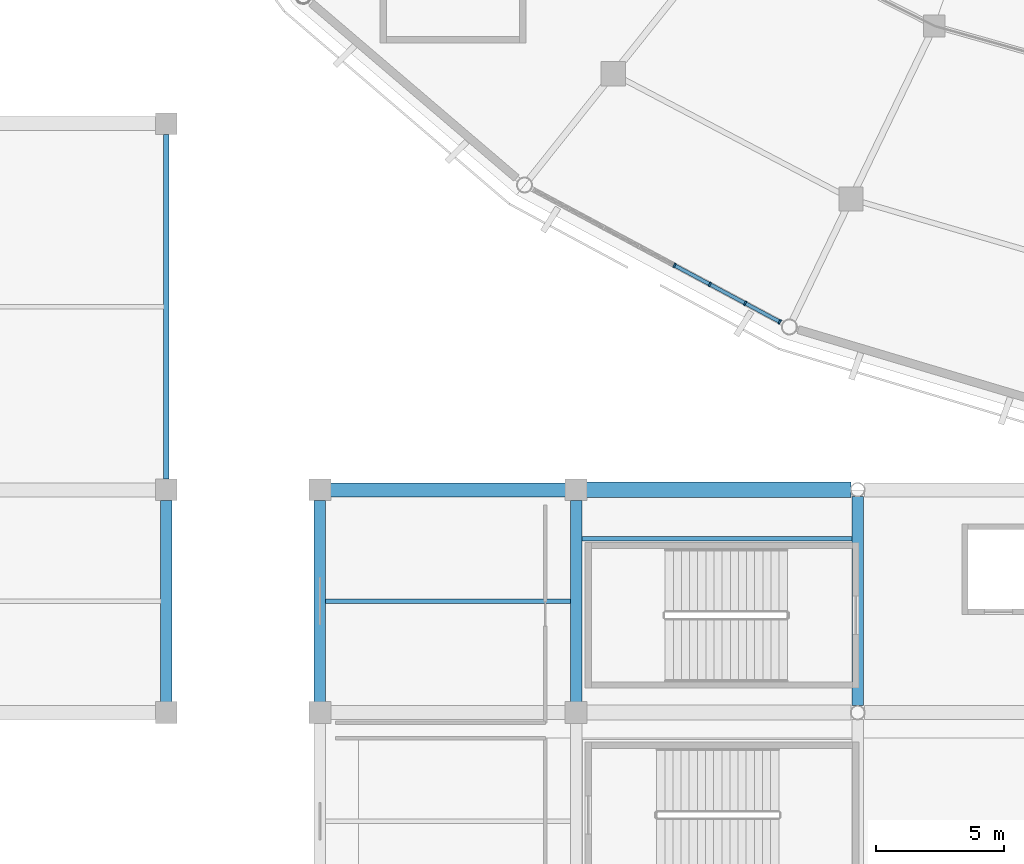
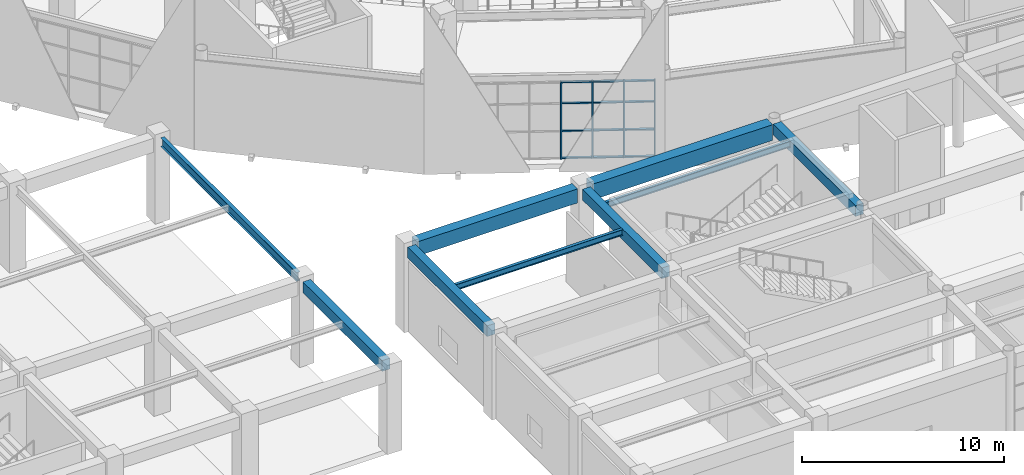
# One storey, part 16 of 120: 16 members, 9 beams, 1 element without a shape of its own.
"""IFC4 building model written with IfcOpenShell, lengths in metres."""

import ifcopenshell
import ifcopenshell.guid

model = None  # the IFC model being written
_history = None  # IfcOwnerHistory: only IFC2X3 demands one
_inside = {}  # id of a spatial element -> (the spatial element, [elements in it])
_under = {}  # id of a project, library or spatial element -> (it, [spatial elements below it])
_declared = {}  # id of a project -> (the project, [libraries it declares])
_typed = {}  # id of a type object -> (the type object, [elements of that type])
_made_of = {}  # id of a material, layer set ... -> (it, [elements and type objects made of it])


def new_model(schema):
    """Start an empty IFC model of exactly this schema.

    Asked for "IFC4X3", IfcOpenShell would pick the latest addendum, in which some entities
    have other attributes; the version numbers below select the first issue.
    IFC2X3 requires an IfcOwnerHistory on every rooted entity: one is made here for all.
    """
    global model, _history
    if schema == "IFC4X3":
        model = ifcopenshell.file(schema_version=(4, 3, 0, 0))
    else:
        model = ifcopenshell.file(schema=schema)
    _inside.clear()
    _under.clear()
    _declared.clear()
    _typed.clear()
    _made_of.clear()
    _history = None
    if model.schema == "IFC2X3":
        org = make("IfcOrganization", Name="unknown")
        user = make(
            "IfcPersonAndOrganization",
            ThePerson=make("IfcPerson", FamilyName="unknown"),
            TheOrganization=org,
        )
        app = make(
            "IfcApplication",
            ApplicationDeveloper=org,
            Version="unknown",
            ApplicationFullName="unknown",
            ApplicationIdentifier="unknown",
        )
        _history = make(
            "IfcOwnerHistory",
            OwningUser=user,
            OwningApplication=app,
            ChangeAction="ADDED",
            CreationDate=0,
        )
    return model


def make(cls, **values):
    """One entity of the class cls with the attributes given. An attribute that is None is left unset."""
    return model.create_entity(
        cls, **{name: value for name, value in values.items() if value is not None}
    )


def rooted(cls, **values):
    """An entity with a GlobalId (a new one), such as an element, a storey or a relation."""
    return make(cls, GlobalId=ifcopenshell.guid.new(), OwnerHistory=_history, **values)


def si_unit(unit_type, name, prefix=None):
    """IfcSIUnit, for example si_unit("LENGTHUNIT", "METRE", prefix="MILLI")."""
    return make("IfcSIUnit", UnitType=unit_type, Prefix=prefix, Name=name)


def assignment(units):
    """IfcUnitAssignment: the units of a project."""
    return None if units is None else make("IfcUnitAssignment", Units=units)


def point(xyz):
    """IfcCartesianPoint."""
    return None if xyz is None else make("IfcCartesianPoint", Coordinates=xyz)


def direction(xyz):
    """IfcDirection."""
    return None if xyz is None else make("IfcDirection", DirectionRatios=xyz)


def frame(location, z_axis=None, x_axis=None):
    """IfcAxis2Placement3D, a coordinate frame: its origin and axes. An axis left out is left unset."""
    return make(
        "IfcAxis2Placement3D",
        Location=point(location),
        Axis=direction(z_axis),
        RefDirection=direction(x_axis),
    )


def frame_2d(location, x_axis=None):
    """IfcAxis2Placement2D, a coordinate frame in the plane: its origin and x axis."""
    return make(
        "IfcAxis2Placement2D", Location=point(location), RefDirection=direction(x_axis)
    )


def origin():
    """The frame at (0, 0, 0) with its axes left unset."""
    return frame((0.0, 0.0, 0.0))


def origin_2d():
    """The frame at (0, 0) in the plane with its x axis left unset."""
    return frame_2d((0.0, 0.0))


def place(relative_to, where):
    """IfcLocalPlacement: puts the frame where relative to a parent placement (None: the world)."""
    return make(
        "IfcLocalPlacement", PlacementRelTo=relative_to, RelativePlacement=where
    )


def context(
    kind, dimensions, precision=None, world=None, true_north=None, identifier=None
):
    """IfcGeometricRepresentationContext, for example the 3D "Model" context."""
    return make(
        "IfcGeometricRepresentationContext",
        ContextIdentifier=identifier,
        ContextType=kind,
        CoordinateSpaceDimension=dimensions,
        Precision=precision,
        WorldCoordinateSystem=world,
        TrueNorth=true_north,
    )


def subcontext(parent, identifier, kind, view, scale=None):
    """IfcGeometricRepresentationSubContext, for example "Body" below "Model"."""
    return make(
        "IfcGeometricRepresentationSubContext",
        ContextIdentifier=identifier,
        ContextType=kind,
        ParentContext=parent,
        TargetScale=scale,
        TargetView=view,
    )


def project(units=None, contexts=None):
    """IfcProject with its units and contexts."""
    return rooted(
        "IfcProject",
        Name="project",
        RepresentationContexts=contexts,
        UnitsInContext=assignment(units),
    )


def spatial(cls, under=None, at=None, **own):
    """A site, building, storey or space (cls), placed at a placement, below another one or the project."""
    s = rooted(cls, ObjectPlacement=at, **own)
    if under is not None:
        _under.setdefault(under.id(), (under, []))[1].append(s)
    return s


def profile(cls, at=None, kind="AREA", **sizes):
    """A parametric profile (cls). Its sizes go by their IFC names, for example OverallWidth=200.0."""
    return make(cls, ProfileType=kind, Position=at, **sizes)


def rectangle(**sizes):
    """IfcRectangleProfileDef."""
    return profile("IfcRectangleProfileDef", **sizes)


def i_section(**sizes):
    """IfcIShapeProfileDef."""
    return profile("IfcIShapeProfileDef", **sizes)


def extrude(swept, where, along, depth):
    """IfcExtrudedAreaSolid: the profile swept, set in the frame where, extruded along a direction by depth."""
    return make(
        "IfcExtrudedAreaSolid",
        SweptArea=swept,
        Position=where,
        ExtrudedDirection=direction(along),
        Depth=depth,
    )


def shape(context_of_items, identifier, shape_type, items):
    """IfcShapeRepresentation: the items that make up one representation, for example the "Body"."""
    return make(
        "IfcShapeRepresentation",
        ContextOfItems=context_of_items,
        RepresentationIdentifier=identifier,
        RepresentationType=shape_type,
        Items=items,
    )


def material(Name=None, Category=None):
    """IfcMaterial."""
    return make("IfcMaterial", Name=Name, Category=Category)


def material_profile(
    of_material, cross_section, Name=None, Category=None, Priority=None
):
    """IfcMaterialProfile: a cross section and its material."""
    return make(
        "IfcMaterialProfile",
        Name=Name,
        Material=of_material,
        Profile=cross_section,
        Priority=Priority,
        Category=Category,
    )


def profile_set(profiles, Name=None, composite=None):
    """IfcMaterialProfileSet."""
    return make(
        "IfcMaterialProfileSet",
        Name=Name,
        MaterialProfiles=profiles,
        CompositeProfile=composite,
    )


def made_of(thing, what):
    """Note that an element or type object is made of a material, layer set ...; save() writes the relation."""
    if what is not None:
        _made_of.setdefault(what.id(), (what, []))[1].append(thing)
    return thing


def type_object(cls, material=None, **own):
    """A type object (cls), such as IfcWallType, which elements share."""
    return made_of(rooted(cls, **own), material)


def element(
    cls,
    number,
    at=None,
    inside=None,
    cuts=None,
    type_object=None,
    material=None,
    context=None,
    identifier="Body",
    shape_type=None,
    held_by="IfcProductDefinitionShape",
    body=None,
    shapes=None,
    **own,
):
    """One element of the class cls, such as IfcWall. Its Tag is "e" and its number.

    at: its placement. inside: the storey or other place that contains it. cuts: it is an
    opening in that element (IfcRelVoidsElement). A single representation is given by context,
    identifier, shape_type and body (its items); several are given by shapes. held_by: the class
    of the entity that holds the representations. save() writes the other relations.
    """
    e = rooted(cls, Tag="e%d" % number, ObjectPlacement=at, **own)
    if body is not None:
        shapes = [shape(context, identifier, shape_type, body)]
    if shapes is not None:
        e.Representation = make(held_by, Representations=shapes)
    if inside is not None:
        _inside.setdefault(inside.id(), (inside, []))[1].append(e)
    if cuts is not None:
        rooted(
            "IfcRelVoidsElement", RelatingBuildingElement=cuts, RelatedOpeningElement=e
        )
    if type_object is not None:
        _typed.setdefault(type_object.id(), (type_object, []))[1].append(e)
    return made_of(e, material)


def aggregate(whole, parts):
    """IfcRelAggregates: a whole, such as a stair, and the parts it consists of."""
    return rooted("IfcRelAggregates", RelatingObject=whole, RelatedObjects=parts)


def save(model, path):
    """Write the relations noted so far, then the file.

    IfcRelAggregates (storeys below a building ...), IfcRelContainedInSpatialStructure (elements
    in a storey), IfcRelDefinesByType, IfcRelAssociatesMaterial and IfcRelDeclares: one each for
    every whole, place, type object, material and project.
    """
    for whole, parts in _under.values():
        aggregate(whole, parts)
    for where, things in _inside.values():
        rooted(
            "IfcRelContainedInSpatialStructure",
            RelatedElements=things,
            RelatingStructure=where,
        )
    for kind, things in _typed.values():
        rooted("IfcRelDefinesByType", RelatedObjects=things, RelatingType=kind)
    for what, things in _made_of.values():
        rooted("IfcRelAssociatesMaterial", RelatedObjects=things, RelatingMaterial=what)
    for by, libraries in _declared.values():
        rooted("IfcRelDeclares", RelatingContext=by, RelatedDefinitions=libraries)
    model.write(path)


model = new_model("IFC4")

# Units and contexts
model_context = context("Model", 3, precision=1e-05, world=origin(), true_north=direction((0.0, 1.0)))
body_context = subcontext(model_context, "Body", "Model", "MODEL_VIEW")
ifc_project = project(units=[si_unit("LENGTHUNIT", "METRE"), si_unit("AREAUNIT", "SQUARE_METRE"), si_unit("VOLUMEUNIT", "CUBIC_METRE"), si_unit("PLANEANGLEUNIT", "RADIAN"), si_unit("MASSUNIT", "GRAM", prefix="KILO")], contexts=[model_context])

# Site, building, storey
site_placement = place(None, origin())
site = spatial("IfcSite", under=ifc_project, at=site_placement, CompositionType="ELEMENT")
building_placement = place(site_placement, origin())
building = spatial("IfcBuilding", under=site, at=building_placement, Name="Cuetzalor Civic Arena", CompositionType="ELEMENT")
storey_placement = place(building_placement, frame((0.0, 0.0, 6.0)))
storey = spatial("IfcBuildingStorey", under=building, at=storey_placement, Name="L01", CompositionType="ELEMENT", Elevation=6.0)

# Beams
ifc_material_1 = material(Name="Concrete C40/50", Category="concrete")
ifc_material_profile_1 = material_profile(ifc_material_1, rectangle(XDim=0.550048828125, YDim=0.85009765625, at=origin_2d()), Name="RC 550x850")
ifc_profile_set_1 = profile_set([ifc_material_profile_1], Name="Concrete C40/50")
beam_type_1 = type_object("IfcBeamType", Name="ConcreteFrameBeam_550x850", PredefinedType="BEAM", material=ifc_profile_set_1)
beam_1_placement = place(storey_placement, frame((-41.5849609375, -48.300048828125, 4.695068359375), z_axis=(1.0, 0.0, 0.0), x_axis=(0.0, 1.0, 0.0)))
element("IfcBeam", 1, at=beam_1_placement, inside=storey, type_object=beam_type_1, Name="Frame Girder V3-L01-X0311", PredefinedType="BEAM", context=body_context, shape_type="SweptSolid", body=[
    extrude(rectangle(XDim=0.550048828125, YDim=0.85009765625, at=origin_2d()), origin(), (0.0, 0.0, 1.0), 9.169921875),
])
ifc_material_2 = material(Name="Concrete C40/50", Category="concrete")
ifc_material_profile_2 = material_profile(ifc_material_2, rectangle(XDim=0.60009765625, YDim=0.949951171875, at=origin_2d()), Name="RC 600x950")
ifc_profile_set_2 = profile_set([ifc_material_profile_2], Name="Concrete C40/50")
beam_type_2 = type_object("IfcBeamType", Name="ConcreteFrameBeam_600x950", PredefinedType="BEAM", material=ifc_profile_set_2)
beam_2_placement = place(storey_placement, frame((-31.5849609375, -48.300048828125, 4.64501953125), z_axis=(1.0, 0.0, 0.0), x_axis=(0.0, 1.0, 0.0)))
element("IfcBeam", 2, at=beam_2_placement, inside=storey, type_object=beam_type_2, Name="Frame Girder V3-L01-X0312", PredefinedType="BEAM", context=body_context, shape_type="SweptSolid", body=[
    extrude(rectangle(XDim=0.60009765625, YDim=0.949951171875, at=origin_2d()), origin(), (0.0, 0.0, 1.0), 10.3154296875),
])
ifc_material_3 = material(Name="Concrete C40/50", Category="concrete")
ifc_material_profile_3 = material_profile(ifc_material_3, rectangle(XDim=0.449951171875, YDim=0.64990234375, at=origin_2d()), Name="RC 450x650")
ifc_profile_set_3 = profile_set([ifc_material_profile_3], Name="Concrete C40/50")
beam_type_3 = type_object("IfcBeamType", Name="ConcreteTieBeam_450x650", PredefinedType="BEAM", material=ifc_profile_set_3)
for number, where, z_axis, x_axis, name in (
    (3, (-42.0, -56.5849609375, 4.794921875), (0.0, 1.0, 0.0), (-1.0, 0.0, 0.0), "Frame Girder V3-L01-Y0321"),
    (4, (-32.0, -56.5849609375, 4.794921875), (0.0, 1.0, 0.0), (-1.0, 0.0, 0.0), "Frame Girder V3-L01-Y0324"),
):
    element("IfcBeam", number, at=place(storey_placement, frame(where, z_axis=z_axis, x_axis=x_axis)), inside=storey, type_object=beam_type_3, Name=name, PredefinedType="BEAM", context=body_context, shape_type="SweptSolid", body=[
        extrude(rectangle(XDim=0.449951171875, YDim=0.64990234375, at=origin_2d()), origin(), (0.0, 0.0, 1.0), 7.869873046875),
    ])
beam_3_placement = place(storey_placement, frame((-21.0, -56.73046875, 4.794921875), z_axis=(0.0, 1.0, 0.0), x_axis=(-1.0, 0.0, 0.0)))
element("IfcBeam", 5, at=beam_3_placement, inside=storey, type_object=beam_type_3, Name="Frame Girder V3-L01-Y0327", PredefinedType="BEAM", context=body_context, shape_type="SweptSolid", body=[
    extrude(rectangle(XDim=0.449951171875, YDim=0.64990234375, at=origin_2d()), origin(), (0.0, 0.0, 1.0), 8.160888671875),
])
beam_4_placement = place(storey_placement, frame((-48.0, -56.5849609375, 4.794921875), z_axis=(0.0, 1.0, 0.0), x_axis=(-1.0, 0.0, 0.0)))
element("IfcBeam", 6, at=beam_4_placement, inside=storey, type_object=beam_type_3, Name="Frame Girder V4W-L01-Y0421", PredefinedType="BEAM", context=body_context, shape_type="SweptSolid", body=[
    extrude(rectangle(XDim=0.449951171875, YDim=0.64990234375, at=origin_2d()), origin(), (0.0, 0.0, 1.0), 7.869873046875),
])

# Curtain wall, members
ifc_material_4 = material(Name="Anodised dark bronze aluminium and low-E solar glass", Category="aluminium")
curtain_wall_type = type_object("IfcCurtainWallType", Name="UnitisedCW_10950x4650", PredefinedType="USERDEFINED", material=ifc_material_4)
curtain_wall_placement = place(storey_placement, origin())
curtain_wall = element("IfcCurtainWall", 7, at=curtain_wall_placement, inside=storey, type_object=curtain_wall_type, Name="Drum Triangle Foyer Curtain Wall L01-028", ObjectType="UNITISED CURTAIN WALL", PredefinedType="USERDEFINED")
ifc_material_5 = material(Name="Anodised dark bronze aluminium", Category="aluminium")
ifc_material_profile_4 = material_profile(ifc_material_5, rectangle(XDim=0.070068359375, YDim=0.179931640625, at=origin_2d()), Name="ALU MULLION 70x180")
ifc_profile_set_4 = profile_set([ifc_material_profile_4], Name="Anodised dark bronze aluminium")
member_type_1 = type_object("IfcMemberType", Name="CurtainWallMullion_65x180", PredefinedType="MULLION", material=ifc_profile_set_4)
member_1_placement = place(storey_placement, frame((-24.04736328125, -41.737060546875, 0.0), z_axis=(0.0, 0.0, 1.0), x_axis=(-0.881306344124, 0.472545371163, 0.0)))
member_1 = element("IfcMember", 8, at=member_1_placement, type_object=member_type_1, Name="CW-07 mullion 1", PredefinedType="MULLION", context=body_context, shape_type="SweptSolid", body=[
    extrude(rectangle(XDim=0.070068359375, YDim=0.179931640625, at=origin_2d()), origin(), (0.0, 0.0, 1.0), 4.653076171875),
])
member_2_placement = place(storey_placement, frame((-25.39453125, -41.0146484375, 0.0), z_axis=(0.0, 0.0, 1.0), x_axis=(-0.881306344124, 0.472545371163, 0.0)))
member_2 = element("IfcMember", 9, at=member_2_placement, type_object=member_type_1, Name="CW-07 mullion 2", PredefinedType="MULLION", context=body_context, shape_type="SweptSolid", body=[
    extrude(rectangle(XDim=0.070068359375, YDim=0.179931640625, at=origin_2d()), origin(), (0.0, 0.0, 1.0), 4.653076171875),
])
member_3_placement = place(storey_placement, frame((-26.772705078125, -40.275634765625, 0.0), z_axis=(0.0, 0.0, 1.0), x_axis=(-0.881306344124, 0.472545371163, 0.0)))
member_3 = element("IfcMember", 10, at=member_3_placement, type_object=member_type_1, Name="CW-07 mullion 3", PredefinedType="MULLION", context=body_context, shape_type="SweptSolid", body=[
    extrude(rectangle(XDim=0.070068359375, YDim=0.179931640625, at=origin_2d()), origin(), (0.0, 0.0, 1.0), 4.653076171875),
])
member_4_placement = place(storey_placement, frame((-28.15087890625, -39.53662109375, 0.0), z_axis=(0.0, 0.0, 1.0), x_axis=(-0.881306344124, 0.472545371163, 0.0)))
member_4 = element("IfcMember", 11, at=member_4_placement, type_object=member_type_1, Name="CW-07 mullion 4", PredefinedType="MULLION", context=body_context, shape_type="SweptSolid", body=[
    extrude(rectangle(XDim=0.070068359375, YDim=0.179931640625, at=origin_2d()), origin(), (0.0, 0.0, 1.0), 4.653076171875),
])
ifc_material_6 = material(Name="Anodised dark bronze aluminium", Category="aluminium")
ifc_material_profile_5 = material_profile(ifc_material_6, rectangle(XDim=0.139892578125, YDim=0.070068359375, at=origin_2d()), Name="ALU TRANSOM 70x140")
ifc_profile_set_5 = profile_set([ifc_material_profile_5], Name="Anodised dark bronze aluminium")
member_type_2 = type_object("IfcMemberType", Name="CurtainWallTransom_65x140", PredefinedType="USERDEFINED", material=ifc_profile_set_5)
member_5_placement = place(storey_placement, frame((-24.078125, -41.720458984375, 0.034912109375), z_axis=(-0.881275880815, 0.472602181432, 0.0), x_axis=(-0.472602181432, -0.881275880815, 0.0)))
member_5 = element("IfcMember", 12, at=member_5_placement, type_object=member_type_2, Name="CW-07 transom 1.1", ObjectType="TRANSOM", PredefinedType="USERDEFINED", context=body_context, shape_type="SweptSolid", body=[
    extrude(rectangle(XDim=0.139892578125, YDim=0.070068359375, at=origin_2d()), origin(), (0.0, 0.0, 1.0), 1.458740234375),
])
member_6_placement = place(storey_placement, frame((-24.078125, -41.720458984375, 1.675048828125), z_axis=(-0.881275880815, 0.472602181432, 0.0), x_axis=(-0.472602181432, -0.881275880815, 0.0)))
member_6 = element("IfcMember", 13, at=member_6_placement, type_object=member_type_2, Name="CW-07 transom 1.2", ObjectType="TRANSOM", PredefinedType="USERDEFINED", context=body_context, shape_type="SweptSolid", body=[
    extrude(rectangle(XDim=0.139892578125, YDim=0.070068359375, at=origin_2d()), origin(), (0.0, 0.0, 1.0), 1.458740234375),
])
member_7_placement = place(storey_placement, frame((-24.078125, -41.720458984375, 3.35009765625), z_axis=(-0.881275880815, 0.472602181432, 0.0), x_axis=(-0.472602181432, -0.881275880815, 0.0)))
member_7 = element("IfcMember", 14, at=member_7_placement, type_object=member_type_2, Name="CW-07 transom 1.3", ObjectType="TRANSOM", PredefinedType="USERDEFINED", context=body_context, shape_type="SweptSolid", body=[
    extrude(rectangle(XDim=0.139892578125, YDim=0.070068359375, at=origin_2d()), origin(), (0.0, 0.0, 1.0), 1.458740234375),
])
member_8_placement = place(storey_placement, frame((-24.078125, -41.720458984375, 4.617919921875), z_axis=(-0.881275880815, 0.472602181432, 0.0), x_axis=(-0.472602181432, -0.881275880815, 0.0)))
member_8 = element("IfcMember", 15, at=member_8_placement, type_object=member_type_2, Name="CW-07 transom 1.4", ObjectType="TRANSOM", PredefinedType="USERDEFINED", context=body_context, shape_type="SweptSolid", body=[
    extrude(rectangle(XDim=0.139892578125, YDim=0.070068359375, at=origin_2d()), origin(), (0.0, 0.0, 1.0), 1.458740234375),
])
member_9_placement = place(storey_placement, frame((-25.42529296875, -40.998046875, 0.034912109375), z_axis=(-0.881351173238, 0.472461754465, 0.0), x_axis=(-0.472461754465, -0.881351173238, 0.0)))
member_9 = element("IfcMember", 16, at=member_9_placement, type_object=member_type_2, Name="CW-07 transom 2.1", ObjectType="TRANSOM", PredefinedType="USERDEFINED", context=body_context, shape_type="SweptSolid", body=[
    extrude(rectangle(XDim=0.139892578125, YDim=0.070068359375, at=origin_2d()), origin(), (0.0, 0.0, 1.0), 1.493896484375),
])
member_10_placement = place(storey_placement, frame((-25.42529296875, -40.998046875, 1.675048828125), z_axis=(-0.881351173238, 0.472461754465, 0.0), x_axis=(-0.472461754465, -0.881351173238, 0.0)))
member_10 = element("IfcMember", 17, at=member_10_placement, type_object=member_type_2, Name="CW-07 transom 2.2", ObjectType="TRANSOM", PredefinedType="USERDEFINED", context=body_context, shape_type="SweptSolid", body=[
    extrude(rectangle(XDim=0.139892578125, YDim=0.070068359375, at=origin_2d()), origin(), (0.0, 0.0, 1.0), 1.493896484375),
])
member_11_placement = place(storey_placement, frame((-25.42529296875, -40.998046875, 3.35009765625), z_axis=(-0.881351173238, 0.472461754465, 0.0), x_axis=(-0.472461754465, -0.881351173238, 0.0)))
member_11 = element("IfcMember", 18, at=member_11_placement, type_object=member_type_2, Name="CW-07 transom 2.3", ObjectType="TRANSOM", PredefinedType="USERDEFINED", context=body_context, shape_type="SweptSolid", body=[
    extrude(rectangle(XDim=0.139892578125, YDim=0.070068359375, at=origin_2d()), origin(), (0.0, 0.0, 1.0), 1.493896484375),
])
member_12_placement = place(storey_placement, frame((-25.42529296875, -40.998046875, 4.617919921875), z_axis=(-0.881351173238, 0.472461754465, 0.0), x_axis=(-0.472461754465, -0.881351173238, 0.0)))
member_12 = element("IfcMember", 19, at=member_12_placement, type_object=member_type_2, Name="CW-07 transom 2.4", ObjectType="TRANSOM", PredefinedType="USERDEFINED", context=body_context, shape_type="SweptSolid", body=[
    extrude(rectangle(XDim=0.139892578125, YDim=0.070068359375, at=origin_2d()), origin(), (0.0, 0.0, 1.0), 1.493896484375),
])
member_13_placement = place(storey_placement, frame((-26.803466796875, -40.259033203125, 0.034912109375), z_axis=(-0.881314685602, 0.472529813812, 0.0), x_axis=(-0.472529813812, -0.881314685602, 0.0)))
member_13 = element("IfcMember", 20, at=member_13_placement, type_object=member_type_2, Name="CW-07 transom 3.1", ObjectType="TRANSOM", PredefinedType="USERDEFINED", context=body_context, shape_type="SweptSolid", body=[
    extrude(rectangle(XDim=0.139892578125, YDim=0.070068359375, at=origin_2d()), origin(), (0.0, 0.0, 1.0), 1.49365234375),
])
member_14_placement = place(storey_placement, frame((-26.803466796875, -40.259033203125, 1.675048828125), z_axis=(-0.881314685602, 0.472529813812, 0.0), x_axis=(-0.472529813812, -0.881314685602, 0.0)))
member_14 = element("IfcMember", 21, at=member_14_placement, type_object=member_type_2, Name="CW-07 transom 3.2", ObjectType="TRANSOM", PredefinedType="USERDEFINED", context=body_context, shape_type="SweptSolid", body=[
    extrude(rectangle(XDim=0.139892578125, YDim=0.070068359375, at=origin_2d()), origin(), (0.0, 0.0, 1.0), 1.49365234375),
])
member_15_placement = place(storey_placement, frame((-26.803466796875, -40.259033203125, 3.35009765625), z_axis=(-0.881314685602, 0.472529813812, 0.0), x_axis=(-0.472529813812, -0.881314685602, 0.0)))
member_15 = element("IfcMember", 22, at=member_15_placement, type_object=member_type_2, Name="CW-07 transom 3.3", ObjectType="TRANSOM", PredefinedType="USERDEFINED", context=body_context, shape_type="SweptSolid", body=[
    extrude(rectangle(XDim=0.139892578125, YDim=0.070068359375, at=origin_2d()), origin(), (0.0, 0.0, 1.0), 1.49365234375),
])
member_16_placement = place(storey_placement, frame((-26.803466796875, -40.259033203125, 4.617919921875), z_axis=(-0.881314685602, 0.472529813812, 0.0), x_axis=(-0.472529813812, -0.881314685602, 0.0)))
member_16 = element("IfcMember", 23, at=member_16_placement, type_object=member_type_2, Name="CW-07 transom 3.4", ObjectType="TRANSOM", PredefinedType="USERDEFINED", context=body_context, shape_type="SweptSolid", body=[
    extrude(rectangle(XDim=0.139892578125, YDim=0.070068359375, at=origin_2d()), origin(), (0.0, 0.0, 1.0), 1.49365234375),
])
aggregate(curtain_wall, [member_1, member_2, member_3, member_4, member_5, member_6, member_7, member_8, member_9, member_10, member_11, member_12, member_13, member_14, member_15, member_16])

# Beams
ifc_material_7 = material(Name="Steel S355", Category="steel")
ifc_material_profile_6 = material_profile(ifc_material_7, i_section(OverallWidth=0.1708984375, OverallDepth=0.35498046875, WebThickness=0.007080078125, FlangeThickness=0.01171875, at=origin_2d()), Name="W360x51")
ifc_profile_set_6 = profile_set([ifc_material_profile_6], Name="Steel S355")
beam_type_4 = type_object("IfcBeamType", Name="SecondaryFloorJoist_W360", PredefinedType="JOIST", material=ifc_profile_set_6)
beam_5_placement = place(storey_placement, frame((-41.782958984375, -52.64990234375, 4.9423828125), z_axis=(1.0, 0.0, 0.0), x_axis=(0.0, 1.0, 0.0)))
element("IfcBeam", 24, at=beam_5_placement, inside=storey, type_object=beam_type_4, Name="Secondary Floor Joist V3-L01-0093", PredefinedType="JOIST", context=body_context, shape_type="SweptSolid", body=[
    extrude(i_section(OverallWidth=0.1708984375, OverallDepth=0.35498046875, WebThickness=0.007080078125, FlangeThickness=0.01171875, at=origin_2d()), origin(), (0.0, 0.0, 1.0), 9.56591796875),
])
beam_6_placement = place(storey_placement, frame((-31.782958984375, -50.214111328125, 4.9423828125), z_axis=(1.0, 0.0, 0.0), x_axis=(0.0, 1.0, 0.0)))
element("IfcBeam", 25, at=beam_6_placement, inside=storey, type_object=beam_type_4, Name="Secondary Floor Joist V3-L01-0095", PredefinedType="JOIST", context=body_context, shape_type="SweptSolid", body=[
    extrude(i_section(OverallWidth=0.1708984375, OverallDepth=0.35498046875, WebThickness=0.007080078125, FlangeThickness=0.01171875, at=origin_2d()), origin(), (0.0, 0.0, 1.0), 10.56591796875),
])
ifc_material_8 = material(Name="Steel S355", Category="steel")
ifc_material_profile_7 = material_profile(ifc_material_8, i_section(OverallWidth=0.208984375, OverallDepth=0.532958984375, WebThickness=0.01025390625, FlangeThickness=0.015625, at=origin_2d()), Name="W530x92")
ifc_profile_set_7 = profile_set([ifc_material_profile_7], Name="Steel S355")
beam_type_5 = type_object("IfcBeamType", Name="SteelCollarGirder_W530", PredefinedType="BEAM", material=ifc_profile_set_7)
beam_7_placement = place(storey_placement, frame((-48.0, -47.885009765625, 4.853515625), z_axis=(0.0, 1.0, 0.0), x_axis=(-1.0, 0.0, 0.0)))
element("IfcBeam", 26, at=beam_7_placement, inside=storey, type_object=beam_type_5, Name="Frame Girder V4W-L01-Y0422", PredefinedType="BEAM", context=body_context, shape_type="SweptSolid", body=[
    extrude(i_section(OverallWidth=0.208984375, OverallDepth=0.532958984375, WebThickness=0.01025390625, FlangeThickness=0.015625, at=origin_2d()), origin(), (0.0, 0.0, 1.0), 13.469970703125),
])

save(model, "model.ifc")
